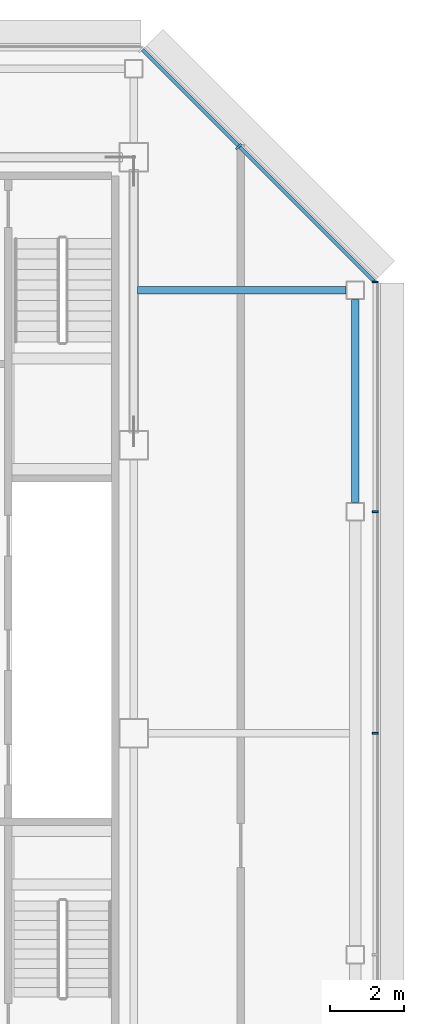
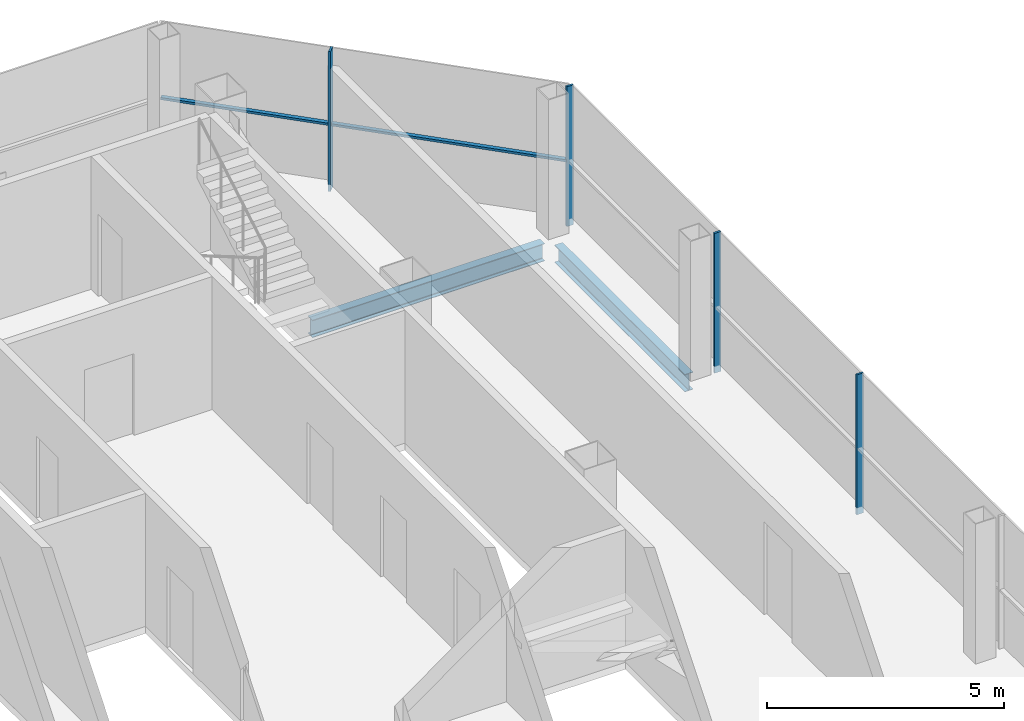
# One storey, part 19 of 27: 5 members, 2 beams, 2 elements without a shape of their own.
"""IFC4 building model written with IfcOpenShell, lengths in metres."""

from ifc_helpers import new_model, si_unit, direction, frame, origin, origin_2d, place, context, subcontext, project, spatial, rectangle, i_section, extrude, material, material_profile, profile_set, type_object, element, aggregate, save


model = new_model("IFC4")

# Units and contexts
model_context = context("Model", 3, precision=1e-05, world=origin(), true_north=direction((0.0, 1.0)))
body_context = subcontext(model_context, "Body", "Model", "MODEL_VIEW")
ifc_project = project(units=[si_unit("LENGTHUNIT", "METRE"), si_unit("AREAUNIT", "SQUARE_METRE"), si_unit("VOLUMEUNIT", "CUBIC_METRE"), si_unit("PLANEANGLEUNIT", "RADIAN"), si_unit("MASSUNIT", "GRAM", prefix="KILO")], contexts=[model_context])

# Site, building, storey
site_placement = place(None, origin())
site = spatial("IfcSite", under=ifc_project, at=site_placement, CompositionType="ELEMENT")
building_placement = place(site_placement, origin())
building = spatial("IfcBuilding", under=site, at=building_placement, Name="Sorahane Residences", CompositionType="ELEMENT")
storey_placement = place(building_placement, frame((0.0, 0.0, 316.0)))
storey = spatial("IfcBuildingStorey", under=building, at=storey_placement, Name="L75", CompositionType="ELEMENT", Elevation=316.0)

# Curtain wall, members
ifc_material_1 = material(Name="Dark low-e glass and black anodised aluminium", Category="aluminium")
curtain_wall_type_1 = type_object("IfcCurtainWallType", Name="Curtain wall CW-1 Typical unitised wall", PredefinedType="NOTDEFINED", material=ifc_material_1)
curtain_wall_1_placement = place(storey_placement, origin())
curtain_wall_1 = element("IfcCurtainWall", 1, at=curtain_wall_1_placement, inside=storey, type_object=curtain_wall_type_1, Name="CW-1 curtain wall L75 E1", PredefinedType="NOTDEFINED")
ifc_material_2 = material(Name="Black anodised aluminium", Category="aluminium")
ifc_material_profile_1 = material_profile(ifc_material_2, rectangle(XDim=0.159912109375, YDim=0.050048828125, at=origin_2d()), Name="Curtain wall mullion CW-1 black anodised aluminium 50x160")
ifc_profile_set_1 = profile_set([ifc_material_profile_1], Name="Black anodised aluminium")
member_type_1 = type_object("IfcMemberType", Name="Curtain wall mullion CW-1 black anodised aluminium 50x160", PredefinedType="MULLION", material=ifc_profile_set_1)
member_1_placement = place(storey_placement, frame((48.5400390625, 30.0, -0.179931640625), z_axis=(0.0, 0.0, 1.0), x_axis=(1.0, 0.0, 0.0)))
member_1 = element("IfcMember", 2, at=member_1_placement, type_object=member_type_1, Name="CW-1 mullion L75 E1.5", PredefinedType="MULLION", context=body_context, shape_type="SweptSolid", body=[
    extrude(rectangle(XDim=0.159912109375, YDim=0.050048828125, at=origin_2d()), origin(), (0.0, 0.0, 1.0), 3.599853515625),
])
member_2_placement = place(storey_placement, frame((48.5400390625, 36.0, -0.179931640625), z_axis=(0.0, 0.0, 1.0), x_axis=(1.0, 0.0, 0.0)))
member_2 = element("IfcMember", 3, at=member_2_placement, type_object=member_type_1, Name="CW-1 mullion L75 E1.6", PredefinedType="MULLION", context=body_context, shape_type="SweptSolid", body=[
    extrude(rectangle(XDim=0.159912109375, YDim=0.050048828125, at=origin_2d()), origin(), (0.0, 0.0, 1.0), 3.599853515625),
])
member_3_placement = place(storey_placement, frame((48.5400390625, 42.2236328125, -0.179931640625), z_axis=(0.0, 0.0, 1.0), x_axis=(1.0, 0.0, 0.0)))
member_3 = element("IfcMember", 4, at=member_3_placement, type_object=member_type_1, Name="CW-1 mullion L75 E1.7", PredefinedType="MULLION", context=body_context, shape_type="SweptSolid", body=[
    extrude(rectangle(XDim=0.159912109375, YDim=0.050048828125, at=origin_2d()), origin(), (0.0, 0.0, 1.0), 3.599853515625),
])
aggregate(curtain_wall_1, [member_1, member_2, member_3])

ifc_material_3 = material(Name="Dark low-e glass and black anodised aluminium", Category="aluminium")
curtain_wall_type_2 = type_object("IfcCurtainWallType", Name="Curtain wall CW-2 Chamfer unitised wall", PredefinedType="NOTDEFINED", material=ifc_material_3)
curtain_wall_2_placement = place(storey_placement, origin())
curtain_wall_2 = element("IfcCurtainWall", 5, at=curtain_wall_2_placement, inside=storey, type_object=curtain_wall_type_2, Name="CW-2 curtain wall L75 NE1", PredefinedType="NOTDEFINED")
ifc_material_4 = material(Name="Black anodised aluminium", Category="aluminium")
ifc_material_profile_2 = material_profile(ifc_material_4, rectangle(XDim=0.199951171875, YDim=0.050048828125, at=origin_2d()), Name="Curtain wall mullion CW-2 black anodised aluminium 50x200")
ifc_profile_set_2 = profile_set([ifc_material_profile_2], Name="Black anodised aluminium")
member_type_2 = type_object("IfcMemberType", Name="Curtain wall mullion CW-2 black anodised aluminium 50x200", PredefinedType="MULLION", material=ifc_profile_set_2)
member_4_placement = place(storey_placement, frame((44.84326171875, 45.89208984375, -0.179931640625), z_axis=(0.0, 0.0, 1.0), x_axis=(0.707106781187, 0.707106781187, 0.0)))
member_4 = element("IfcMember", 6, at=member_4_placement, type_object=member_type_2, Name="CW-2 mullion L75 NE1.2", PredefinedType="MULLION", context=body_context, shape_type="SweptSolid", body=[
    extrude(rectangle(XDim=0.199951171875, YDim=0.050048828125, at=origin_2d()), origin(), (0.0, 0.0, 1.0), 3.599853515625),
])
ifc_material_5 = material(Name="Black anodised aluminium", Category="aluminium")
ifc_material_profile_3 = material_profile(ifc_material_5, rectangle(XDim=0.10009765625, YDim=0.06005859375, at=origin_2d()), Name="Curtain wall transom CW-2 black anodised aluminium 60x100")
ifc_profile_set_3 = profile_set([ifc_material_profile_3], Name="Black anodised aluminium")
member_type_3 = type_object("IfcMemberType", Name="Curtain wall transom CW-2 black anodised aluminium 60x100", PredefinedType="USERDEFINED", material=ifc_profile_set_3)
member_5_placement = place(storey_placement, frame((48.51513671875, 42.234375, 1.5), z_axis=(-0.707106781187, 0.707106781187, 0.0), x_axis=(-0.707106781187, -0.707106781187, 0.0)))
member_5 = element("IfcMember", 7, at=member_5_placement, type_object=member_type_3, Name="CW-2 transom L75 NE1", ObjectType="TRANSOM", PredefinedType="USERDEFINED", context=body_context, shape_type="SweptSolid", body=[
    extrude(rectangle(XDim=0.10009765625, YDim=0.06005859375, at=origin_2d()), origin(), (0.0, 0.0, 1.0), 8.88232421875),
])
aggregate(curtain_wall_2, [member_4, member_5])

# Beams
ifc_material_6 = material(Name="Steel Q355B", Category="steel")
ifc_material_profile_4 = material_profile(ifc_material_6, i_section(OverallWidth=0.199951171875, OverallDepth=0.449951171875, WebThickness=0.009033203125, FlangeThickness=0.013916015625, FilletRadius=0.02001953125, at=origin_2d()), Name="HN 450x200x9x14")
ifc_profile_set_4 = profile_set([ifc_material_profile_4], Name="Steel Q355B")
beam_type = type_object("IfcBeamType", Name="Steel floor beam HN 450x200x9x14 Q355B", PredefinedType="BEAM", material=ifc_profile_set_4)
beam_1_placement = place(storey_placement, frame((48.0, 36.25, -0.405029296875), z_axis=(0.0, 1.0, 0.0), x_axis=(-1.0, 0.0, 0.0)))
element("IfcBeam", 8, at=beam_1_placement, inside=storey, type_object=beam_type, Name="Beam L75 065", PredefinedType="BEAM", context=body_context, shape_type="SweptSolid", body=[
    extrude(i_section(OverallWidth=0.199951171875, OverallDepth=0.449951171875, WebThickness=0.009033203125, FlangeThickness=0.013916015625, FilletRadius=0.02001953125, at=origin_2d()), origin(), (0.0, 0.0, 1.0), 5.5),
])
beam_2_placement = place(storey_placement, frame((42.10009765625, 42.0, -0.405029296875), z_axis=(1.0, 0.0, 0.0), x_axis=(0.0, 1.0, 0.0)))
element("IfcBeam", 9, at=beam_2_placement, inside=storey, type_object=beam_type, Name="Beam L75 090", PredefinedType="BEAM", context=body_context, shape_type="SweptSolid", body=[
    extrude(i_section(OverallWidth=0.199951171875, OverallDepth=0.449951171875, WebThickness=0.009033203125, FlangeThickness=0.013916015625, FilletRadius=0.02001953125, at=origin_2d()), origin(), (0.0, 0.0, 1.0), 5.64990234375),
])

save(model, "model.ifc")
